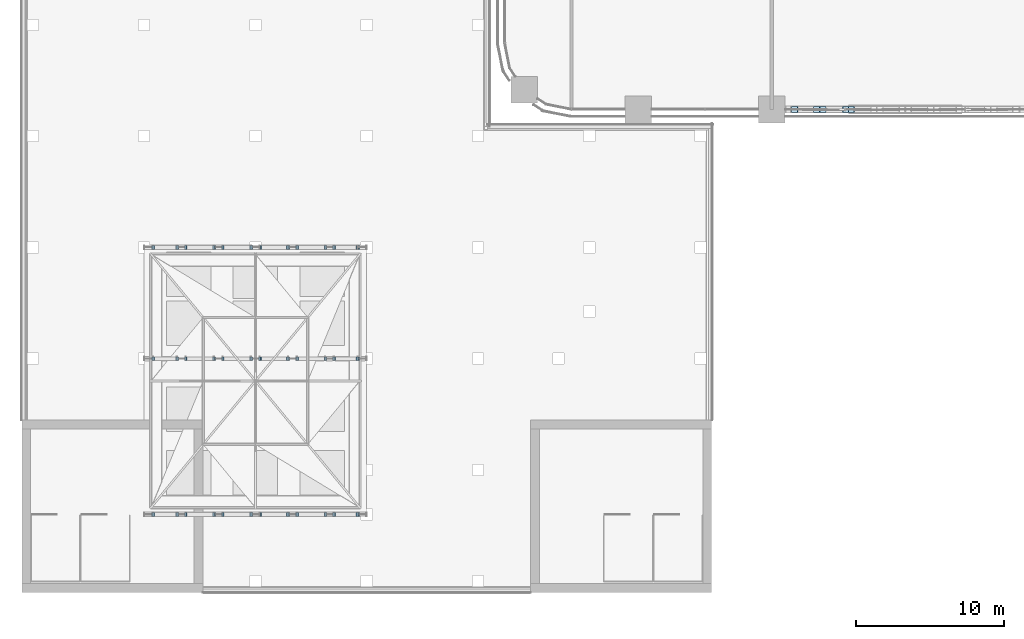
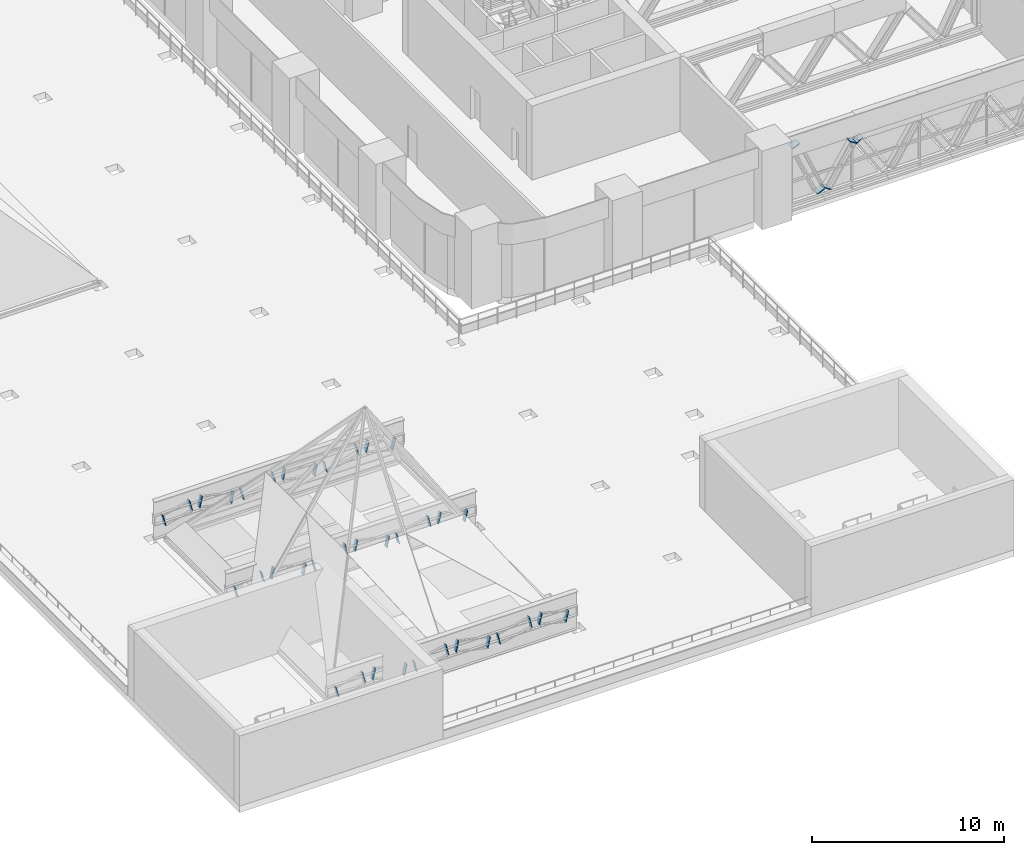
# One storey, part 18 of 35: 41 plates.
"""IFC4 building model written with IfcOpenShell, lengths in metres."""

from ifc_helpers import new_model, si_unit, direction, frame, origin, origin_2d, place, context, subcontext, project, spatial, rectangle, extrude, material, layer, layer_set, type_object, element, save


model = new_model("IFC4")

# Units and contexts
model_context = context("Model", 3, precision=1e-05, world=origin(), true_north=direction((0.0, 1.0)))
body_context = subcontext(model_context, "Body", "Model", "MODEL_VIEW")
ifc_project = project(units=[si_unit("LENGTHUNIT", "METRE"), si_unit("AREAUNIT", "SQUARE_METRE"), si_unit("VOLUMEUNIT", "CUBIC_METRE"), si_unit("PLANEANGLEUNIT", "RADIAN"), si_unit("MASSUNIT", "GRAM", prefix="KILO")], contexts=[model_context])

# Site, building, storey
site_placement = place(None, origin())
site = spatial("IfcSite", under=ifc_project, at=site_placement, CompositionType="ELEMENT")
building_placement = place(site_placement, origin())
building = spatial("IfcBuilding", under=site, at=building_placement, Name="Tessera Arch", CompositionType="ELEMENT")
storey_placement = place(building_placement, frame((0.0, 0.0, 26.0)))
storey = spatial("IfcBuildingStorey", under=building, at=storey_placement, Name="L04", CompositionType="ELEMENT", Elevation=26.0)

# Plates
ifc_material_1 = material(Name="Steel A572 Gr50", Category="steel")
ifc_layer_1 = layer(ifc_material_1, 0.06005859375)
ifc_layer_set_1 = layer_set([ifc_layer_1], Name="End plate W14x426")
plate_type_1 = type_object("IfcPlateType", Name="End plate W14x426", PredefinedType="SHEET", material=ifc_layer_set_1)
for number, where, z_axis, x_axis, name in (
    (1, (19.53466796875, 0.0, 4.073974609375), (0.402738614266, 0.0, -0.915315032423), (0.0, 1.0, 0.0), "End plate Transfer truss diagonal 1 end 1"),
    (2, (21.026611328125, 0.0, 0.680908203125), (0.402738614266, 0.0, -0.915315032423), (0.0, 1.0, 0.0), "End plate Transfer truss diagonal 1 end 2"),
    (3, (21.427978515625, 0.0, 0.6611328125), (0.540552159207, 0.0, 0.841310503427), (0.0, 1.0, 0.0), "End plate Transfer truss diagonal 2 end 1"),
    (4, (22.957763671875, 0.0, 3.05712890625), (0.535824439731, 0.0, 0.844329420183), (0.0, 1.0, 0.0), "End plate Transfer truss diagonal 2 end 2"),
    (5, (23.344482421875, 0.0, 3.10791015625), (0.535824439731, 0.0, -0.844329420183), (0.0, 1.0, 0.0), "End plate Transfer truss diagonal 3 end 1"),
):
    element("IfcPlate", number, at=place(storey_placement, frame(where, z_axis=z_axis, x_axis=x_axis)), inside=storey, type_object=plate_type_1, Name=name, PredefinedType="SHEET", context=body_context, shape_type="SweptSolid", body=[
        extrude(rectangle(XDim=0.424072265625, YDim=0.47412109375, at=origin_2d()), origin(), (0.0, 0.0, 1.0), 0.06005859375),
    ])
ifc_material_2 = material(Name="Steel A572 Gr50", Category="steel")
ifc_layer_2 = layer(ifc_material_2, 0.0400390625)
ifc_layer_set_2 = layer_set([ifc_layer_2], Name="End plate W27x114")
plate_type_2 = type_object("IfcPlateType", Name="End plate W27x114", PredefinedType="SHEET", material=ifc_layer_set_2)
for number, where, z_axis, x_axis, name in (
    (6, (-23.71435546875, -27.300048828125, 0.997314453125), (0.971210844098, 0.0, 0.238221527798), (0.0, 1.0, 0.0), "End plate Museum truss A1 diagonal 1 end 1"),
    (7, (-22.12109375, -27.300048828125, 1.39306640625), (0.969782658548, 0.0, 0.243970480138), (0.0, 1.0, 0.0), "End plate Museum truss A1 diagonal 1 end 2"),
):
    element("IfcPlate", number, at=place(storey_placement, frame(where, z_axis=z_axis, x_axis=x_axis)), inside=storey, type_object=plate_type_2, Name=name, PredefinedType="SHEET", context=body_context, shape_type="SweptSolid", body=[
        extrude(rectangle(XDim=0.256591796875, YDim=0.693359375, at=origin_2d()), origin(), (0.0, 0.0, 1.0), 0.0400390625),
    ])
plate_1_placement = place(storey_placement, frame((-21.51806640625, -27.300048828125, 1.411376953125), z_axis=(0.977176363923, 0.0, -0.212429644331), x_axis=(0.0, 1.0, 0.0)))
element("IfcPlate", 8, at=plate_1_placement, inside=storey, type_object=plate_type_2, Name="End plate Museum truss A1 diagonal 2 end 1", PredefinedType="SHEET", context=body_context, shape_type="SweptSolid", body=[
    extrude(rectangle(XDim=0.256591796875, YDim=0.693359375, at=origin_2d()), origin(), (0.0, 0.0, 1.0), 0.040283203125),
])
plate_2_placement = place(storey_placement, frame((-19.62109375, -27.300048828125, 0.997314453125), z_axis=(0.976900017396, 0.0, -0.213696878805), x_axis=(0.0, 1.0, 0.0)))
element("IfcPlate", 9, at=plate_2_placement, inside=storey, type_object=plate_type_2, Name="End plate Museum truss A1 diagonal 2 end 2", PredefinedType="SHEET", context=body_context, shape_type="SweptSolid", body=[
    extrude(rectangle(XDim=0.256591796875, YDim=0.693359375, at=origin_2d()), origin(), (0.0, 0.0, 1.0), 0.0400390625),
])
plate_3_placement = place(storey_placement, frame((-19.01806640625, -27.300048828125, 0.98876953125), z_axis=(0.977176363923, 0.0, 0.212429644331), x_axis=(0.0, 1.0, 0.0)))
element("IfcPlate", 10, at=plate_3_placement, inside=storey, type_object=plate_type_2, Name="End plate Museum truss A1 diagonal 3 end 1", PredefinedType="SHEET", context=body_context, shape_type="SweptSolid", body=[
    extrude(rectangle(XDim=0.256591796875, YDim=0.693359375, at=origin_2d()), origin(), (0.0, 0.0, 1.0), 0.040283203125),
])
plate_4_placement = place(storey_placement, frame((-17.12109375, -27.300048828125, 1.40283203125), z_axis=(0.976900017396, 0.0, 0.213696878805), x_axis=(0.0, 1.0, 0.0)))
element("IfcPlate", 11, at=plate_4_placement, inside=storey, type_object=plate_type_2, Name="End plate Museum truss A1 diagonal 3 end 2", PredefinedType="SHEET", context=body_context, shape_type="SweptSolid", body=[
    extrude(rectangle(XDim=0.256591796875, YDim=0.693359375, at=origin_2d()), origin(), (0.0, 0.0, 1.0), 0.0400390625),
])
plate_5_placement = place(storey_placement, frame((-16.51806640625, -27.300048828125, 1.411376953125), z_axis=(0.977176363923, 0.0, -0.212429644331), x_axis=(0.0, 1.0, 0.0)))
element("IfcPlate", 12, at=plate_5_placement, inside=storey, type_object=plate_type_2, Name="End plate Museum truss A1 diagonal 4 end 1", PredefinedType="SHEET", context=body_context, shape_type="SweptSolid", body=[
    extrude(rectangle(XDim=0.256591796875, YDim=0.693359375, at=origin_2d()), origin(), (0.0, 0.0, 1.0), 0.040283203125),
])
plate_6_placement = place(storey_placement, frame((-14.62109375, -27.300048828125, 0.997314453125), z_axis=(0.976900017396, 0.0, -0.213696878805), x_axis=(0.0, 1.0, 0.0)))
element("IfcPlate", 13, at=plate_6_placement, inside=storey, type_object=plate_type_2, Name="End plate Museum truss A1 diagonal 4 end 2", PredefinedType="SHEET", context=body_context, shape_type="SweptSolid", body=[
    extrude(rectangle(XDim=0.256591796875, YDim=0.693359375, at=origin_2d()), origin(), (0.0, 0.0, 1.0), 0.0400390625),
])
plate_7_placement = place(storey_placement, frame((-14.01806640625, -27.300048828125, 0.98876953125), z_axis=(0.977176363923, 0.0, 0.212429644331), x_axis=(0.0, 1.0, 0.0)))
element("IfcPlate", 14, at=plate_7_placement, inside=storey, type_object=plate_type_2, Name="End plate Museum truss A1 diagonal 5 end 1", PredefinedType="SHEET", context=body_context, shape_type="SweptSolid", body=[
    extrude(rectangle(XDim=0.256591796875, YDim=0.693359375, at=origin_2d()), origin(), (0.0, 0.0, 1.0), 0.040283203125),
])
for number, where, z_axis, x_axis, name in (
    (15, (-12.12109375, -27.300048828125, 1.40283203125), (0.976900017396, 0.0, 0.213696878805), (0.0, 1.0, 0.0), "End plate Museum truss A1 diagonal 5 end 2"),
    (16, (-11.517822265625, -27.300048828125, 1.40283203125), (0.969782658548, 0.0, -0.243970480138), (0.0, 1.0, 0.0), "End plate Museum truss A1 diagonal 6 end 1"),
    (17, (-9.924560546875, -27.300048828125, 1.0068359375), (0.971210844098, 0.0, -0.238221527798), (0.0, 1.0, 0.0), "End plate Museum truss A1 diagonal 6 end 2"),
    (18, (-23.71435546875, -16.800048828125, 0.997314453125), (0.971210844098, 0.0, 0.238221527798), (0.0, 1.0, 0.0), "End plate Museum truss A2 diagonal 1 end 1"),
    (19, (-22.12109375, -16.800048828125, 1.39306640625), (0.969782658548, 0.0, 0.243970480138), (0.0, 1.0, 0.0), "End plate Museum truss A2 diagonal 1 end 2"),
):
    element("IfcPlate", number, at=place(storey_placement, frame(where, z_axis=z_axis, x_axis=x_axis)), inside=storey, type_object=plate_type_2, Name=name, PredefinedType="SHEET", context=body_context, shape_type="SweptSolid", body=[
        extrude(rectangle(XDim=0.256591796875, YDim=0.693359375, at=origin_2d()), origin(), (0.0, 0.0, 1.0), 0.0400390625),
    ])
plate_8_placement = place(storey_placement, frame((-21.51806640625, -16.800048828125, 1.411376953125), z_axis=(0.977176363923, 0.0, -0.212429644331), x_axis=(0.0, 1.0, 0.0)))
element("IfcPlate", 20, at=plate_8_placement, inside=storey, type_object=plate_type_2, Name="End plate Museum truss A2 diagonal 2 end 1", PredefinedType="SHEET", context=body_context, shape_type="SweptSolid", body=[
    extrude(rectangle(XDim=0.256591796875, YDim=0.693359375, at=origin_2d()), origin(), (0.0, 0.0, 1.0), 0.040283203125),
])
plate_9_placement = place(storey_placement, frame((-19.62109375, -16.800048828125, 0.997314453125), z_axis=(0.976900017396, 0.0, -0.213696878805), x_axis=(0.0, 1.0, 0.0)))
element("IfcPlate", 21, at=plate_9_placement, inside=storey, type_object=plate_type_2, Name="End plate Museum truss A2 diagonal 2 end 2", PredefinedType="SHEET", context=body_context, shape_type="SweptSolid", body=[
    extrude(rectangle(XDim=0.256591796875, YDim=0.693359375, at=origin_2d()), origin(), (0.0, 0.0, 1.0), 0.0400390625),
])
plate_10_placement = place(storey_placement, frame((-19.01806640625, -16.800048828125, 0.98876953125), z_axis=(0.977176363923, 0.0, 0.212429644331), x_axis=(0.0, 1.0, 0.0)))
element("IfcPlate", 22, at=plate_10_placement, inside=storey, type_object=plate_type_2, Name="End plate Museum truss A2 diagonal 3 end 1", PredefinedType="SHEET", context=body_context, shape_type="SweptSolid", body=[
    extrude(rectangle(XDim=0.256591796875, YDim=0.693359375, at=origin_2d()), origin(), (0.0, 0.0, 1.0), 0.040283203125),
])
plate_11_placement = place(storey_placement, frame((-17.12109375, -16.800048828125, 1.40283203125), z_axis=(0.976900017396, 0.0, 0.213696878805), x_axis=(0.0, 1.0, 0.0)))
element("IfcPlate", 23, at=plate_11_placement, inside=storey, type_object=plate_type_2, Name="End plate Museum truss A2 diagonal 3 end 2", PredefinedType="SHEET", context=body_context, shape_type="SweptSolid", body=[
    extrude(rectangle(XDim=0.256591796875, YDim=0.693359375, at=origin_2d()), origin(), (0.0, 0.0, 1.0), 0.0400390625),
])
plate_12_placement = place(storey_placement, frame((-16.51806640625, -16.800048828125, 1.411376953125), z_axis=(0.977176363923, 0.0, -0.212429644331), x_axis=(0.0, 1.0, 0.0)))
element("IfcPlate", 24, at=plate_12_placement, inside=storey, type_object=plate_type_2, Name="End plate Museum truss A2 diagonal 4 end 1", PredefinedType="SHEET", context=body_context, shape_type="SweptSolid", body=[
    extrude(rectangle(XDim=0.256591796875, YDim=0.693359375, at=origin_2d()), origin(), (0.0, 0.0, 1.0), 0.040283203125),
])
plate_13_placement = place(storey_placement, frame((-14.62109375, -16.800048828125, 0.997314453125), z_axis=(0.976900017396, 0.0, -0.213696878805), x_axis=(0.0, 1.0, 0.0)))
element("IfcPlate", 25, at=plate_13_placement, inside=storey, type_object=plate_type_2, Name="End plate Museum truss A2 diagonal 4 end 2", PredefinedType="SHEET", context=body_context, shape_type="SweptSolid", body=[
    extrude(rectangle(XDim=0.256591796875, YDim=0.693359375, at=origin_2d()), origin(), (0.0, 0.0, 1.0), 0.0400390625),
])
plate_14_placement = place(storey_placement, frame((-14.01806640625, -16.800048828125, 0.98876953125), z_axis=(0.977176363923, 0.0, 0.212429644331), x_axis=(0.0, 1.0, 0.0)))
element("IfcPlate", 26, at=plate_14_placement, inside=storey, type_object=plate_type_2, Name="End plate Museum truss A2 diagonal 5 end 1", PredefinedType="SHEET", context=body_context, shape_type="SweptSolid", body=[
    extrude(rectangle(XDim=0.256591796875, YDim=0.693359375, at=origin_2d()), origin(), (0.0, 0.0, 1.0), 0.040283203125),
])
for number, where, z_axis, x_axis, name in (
    (27, (-12.12109375, -16.800048828125, 1.40283203125), (0.976900017396, 0.0, 0.213696878805), (0.0, 1.0, 0.0), "End plate Museum truss A2 diagonal 5 end 2"),
    (28, (-11.517822265625, -16.800048828125, 1.40283203125), (0.969782658548, 0.0, -0.243970480138), (0.0, 1.0, 0.0), "End plate Museum truss A2 diagonal 6 end 1"),
    (29, (-9.924560546875, -16.800048828125, 1.0068359375), (0.971210844098, 0.0, -0.238221527798), (0.0, 1.0, 0.0), "End plate Museum truss A2 diagonal 6 end 2"),
    (30, (-23.71435546875, -9.300048828125, 0.997314453125), (0.971210844098, 0.0, 0.238221527798), (0.0, 1.0, 0.0), "End plate Museum truss A3 diagonal 1 end 1"),
    (31, (-22.12109375, -9.300048828125, 1.39306640625), (0.969782658548, 0.0, 0.243970480138), (0.0, 1.0, 0.0), "End plate Museum truss A3 diagonal 1 end 2"),
):
    element("IfcPlate", number, at=place(storey_placement, frame(where, z_axis=z_axis, x_axis=x_axis)), inside=storey, type_object=plate_type_2, Name=name, PredefinedType="SHEET", context=body_context, shape_type="SweptSolid", body=[
        extrude(rectangle(XDim=0.256591796875, YDim=0.693359375, at=origin_2d()), origin(), (0.0, 0.0, 1.0), 0.0400390625),
    ])
plate_15_placement = place(storey_placement, frame((-21.51806640625, -9.300048828125, 1.411376953125), z_axis=(0.977176363923, 0.0, -0.212429644331), x_axis=(0.0, 1.0, 0.0)))
element("IfcPlate", 32, at=plate_15_placement, inside=storey, type_object=plate_type_2, Name="End plate Museum truss A3 diagonal 2 end 1", PredefinedType="SHEET", context=body_context, shape_type="SweptSolid", body=[
    extrude(rectangle(XDim=0.256591796875, YDim=0.693359375, at=origin_2d()), origin(), (0.0, 0.0, 1.0), 0.040283203125),
])
plate_16_placement = place(storey_placement, frame((-19.62109375, -9.300048828125, 0.997314453125), z_axis=(0.976900017396, 0.0, -0.213696878805), x_axis=(0.0, 1.0, 0.0)))
element("IfcPlate", 33, at=plate_16_placement, inside=storey, type_object=plate_type_2, Name="End plate Museum truss A3 diagonal 2 end 2", PredefinedType="SHEET", context=body_context, shape_type="SweptSolid", body=[
    extrude(rectangle(XDim=0.256591796875, YDim=0.693359375, at=origin_2d()), origin(), (0.0, 0.0, 1.0), 0.0400390625),
])
plate_17_placement = place(storey_placement, frame((-19.01806640625, -9.300048828125, 0.98876953125), z_axis=(0.977176363923, 0.0, 0.212429644331), x_axis=(0.0, 1.0, 0.0)))
element("IfcPlate", 34, at=plate_17_placement, inside=storey, type_object=plate_type_2, Name="End plate Museum truss A3 diagonal 3 end 1", PredefinedType="SHEET", context=body_context, shape_type="SweptSolid", body=[
    extrude(rectangle(XDim=0.256591796875, YDim=0.693359375, at=origin_2d()), origin(), (0.0, 0.0, 1.0), 0.040283203125),
])
plate_18_placement = place(storey_placement, frame((-17.12109375, -9.300048828125, 1.40283203125), z_axis=(0.976900017396, 0.0, 0.213696878805), x_axis=(0.0, 1.0, 0.0)))
element("IfcPlate", 35, at=plate_18_placement, inside=storey, type_object=plate_type_2, Name="End plate Museum truss A3 diagonal 3 end 2", PredefinedType="SHEET", context=body_context, shape_type="SweptSolid", body=[
    extrude(rectangle(XDim=0.256591796875, YDim=0.693359375, at=origin_2d()), origin(), (0.0, 0.0, 1.0), 0.0400390625),
])
plate_19_placement = place(storey_placement, frame((-16.51806640625, -9.300048828125, 1.411376953125), z_axis=(0.977176363923, 0.0, -0.212429644331), x_axis=(0.0, 1.0, 0.0)))
element("IfcPlate", 36, at=plate_19_placement, inside=storey, type_object=plate_type_2, Name="End plate Museum truss A3 diagonal 4 end 1", PredefinedType="SHEET", context=body_context, shape_type="SweptSolid", body=[
    extrude(rectangle(XDim=0.256591796875, YDim=0.693359375, at=origin_2d()), origin(), (0.0, 0.0, 1.0), 0.040283203125),
])
plate_20_placement = place(storey_placement, frame((-14.62109375, -9.300048828125, 0.997314453125), z_axis=(0.976900017396, 0.0, -0.213696878805), x_axis=(0.0, 1.0, 0.0)))
element("IfcPlate", 37, at=plate_20_placement, inside=storey, type_object=plate_type_2, Name="End plate Museum truss A3 diagonal 4 end 2", PredefinedType="SHEET", context=body_context, shape_type="SweptSolid", body=[
    extrude(rectangle(XDim=0.256591796875, YDim=0.693359375, at=origin_2d()), origin(), (0.0, 0.0, 1.0), 0.0400390625),
])
plate_21_placement = place(storey_placement, frame((-14.01806640625, -9.300048828125, 0.98876953125), z_axis=(0.977176363923, 0.0, 0.212429644331), x_axis=(0.0, 1.0, 0.0)))
element("IfcPlate", 38, at=plate_21_placement, inside=storey, type_object=plate_type_2, Name="End plate Museum truss A3 diagonal 5 end 1", PredefinedType="SHEET", context=body_context, shape_type="SweptSolid", body=[
    extrude(rectangle(XDim=0.256591796875, YDim=0.693359375, at=origin_2d()), origin(), (0.0, 0.0, 1.0), 0.040283203125),
])
for number, where, z_axis, x_axis, name in (
    (39, (-12.12109375, -9.300048828125, 1.40283203125), (0.976900017396, 0.0, 0.213696878805), (0.0, 1.0, 0.0), "End plate Museum truss A3 diagonal 5 end 2"),
    (40, (-11.517822265625, -9.300048828125, 1.40283203125), (0.969782658548, 0.0, -0.243970480138), (0.0, 1.0, 0.0), "End plate Museum truss A3 diagonal 6 end 1"),
    (41, (-9.924560546875, -9.300048828125, 1.0068359375), (0.971210844098, 0.0, -0.238221527798), (0.0, 1.0, 0.0), "End plate Museum truss A3 diagonal 6 end 2"),
):
    element("IfcPlate", number, at=place(storey_placement, frame(where, z_axis=z_axis, x_axis=x_axis)), inside=storey, type_object=plate_type_2, Name=name, PredefinedType="SHEET", context=body_context, shape_type="SweptSolid", body=[
        extrude(rectangle(XDim=0.256591796875, YDim=0.693359375, at=origin_2d()), origin(), (0.0, 0.0, 1.0), 0.0400390625),
    ])

save(model, "model.ifc")
